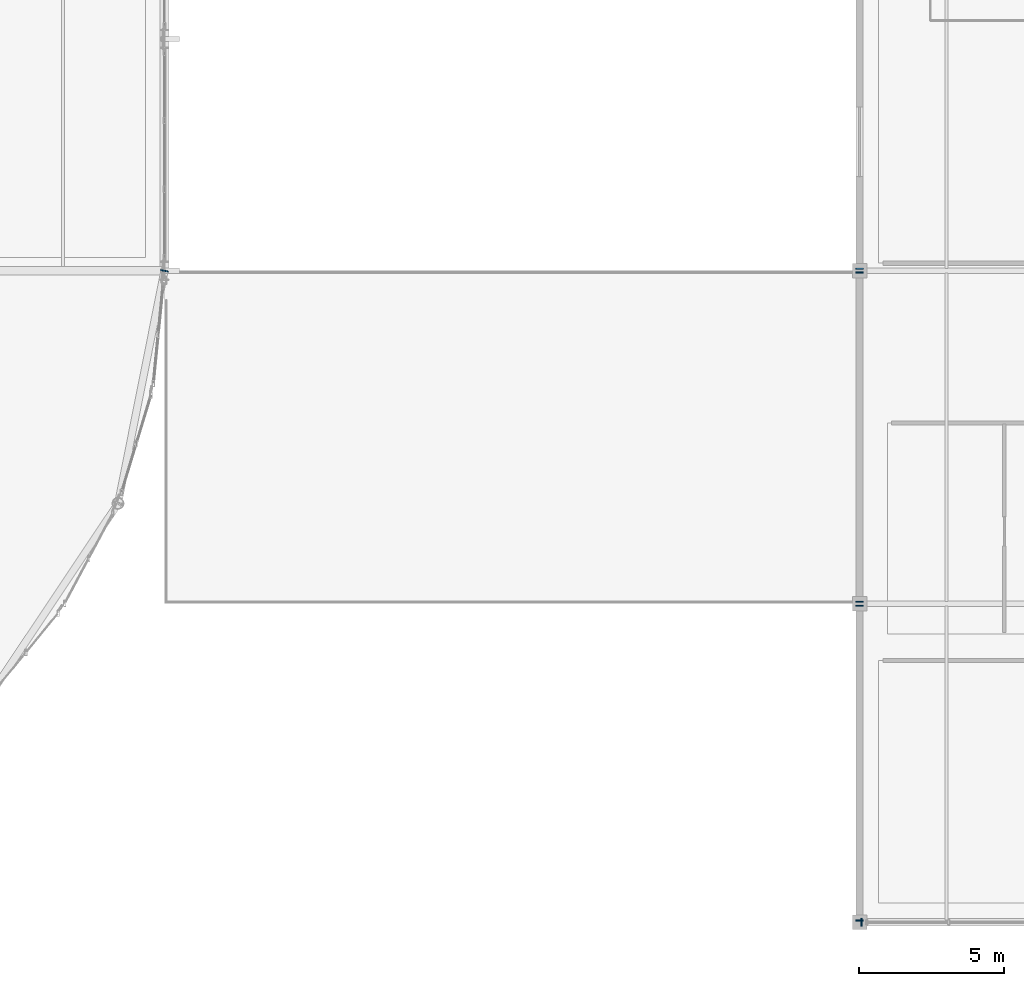
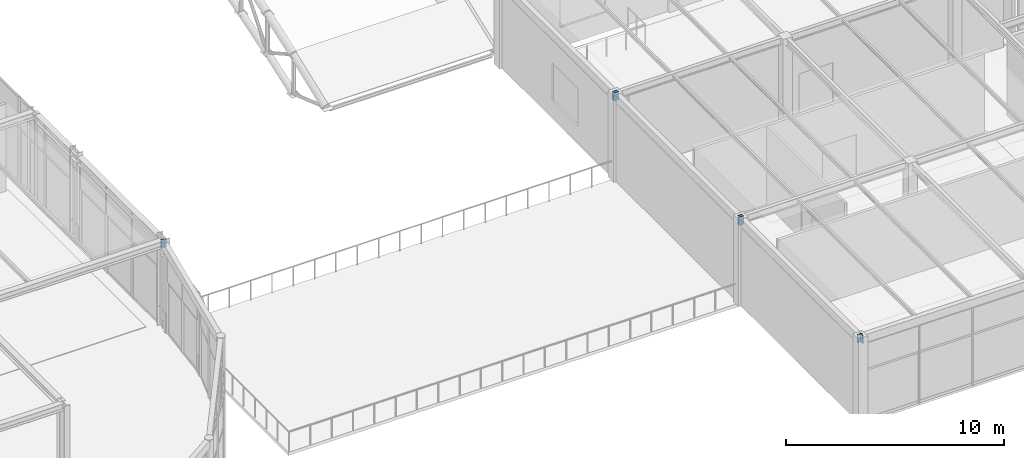
# One storey, part 143 of 195: 7 discrete accessories.
"""IFC4 building model written with IfcOpenShell, lengths in metres."""

from ifc_helpers import new_model, si_unit, direction, frame, origin, origin_2d, place, context, subcontext, project, spatial, rectangle, extrude, material, element, save


model = new_model("IFC4")

# Units and contexts
model_context = context("Model", 3, precision=1e-05, world=origin(), true_north=direction((0.0, 1.0)))
body_context = subcontext(model_context, "Body", "Model", "MODEL_VIEW")
ifc_project = project(units=[si_unit("LENGTHUNIT", "METRE"), si_unit("AREAUNIT", "SQUARE_METRE"), si_unit("VOLUMEUNIT", "CUBIC_METRE"), si_unit("PLANEANGLEUNIT", "RADIAN"), si_unit("MASSUNIT", "GRAM", prefix="KILO")], contexts=[model_context])

# Site, building, storey
site_placement = place(None, origin())
site = spatial("IfcSite", under=ifc_project, at=site_placement, CompositionType="ELEMENT")
building_placement = place(site_placement, origin())
building = spatial("IfcBuilding", under=site, at=building_placement, Name="Marlcrest Central Station", CompositionType="ELEMENT")
storey_placement = place(building_placement, frame((0.0, 0.0, 9.800048828125)))
storey = spatial("IfcBuildingStorey", under=building, at=storey_placement, Name="L02", CompositionType="ELEMENT", Elevation=9.800048828125)

# Discrete accessories
ifc_material = material(Name="Steel S355", Category="steel")
for number, where, z_axis, x_axis, name in (
    (1, (153.045166015625, 0.0, 4.64501953125), (1.0, 0.0, 0.0), (0.0, 1.0, 0.0), "endcap-bm-SP-02-L02-00955-s"),
    (2, (153.0, 0.045166015625, 4.64501953125), (0.0, 1.0, 0.0), (-1.0, 0.0, 0.0), "endcap-bm-SP-02-L02-00979-s"),
    (3, (153.0, 10.9150390625, 4.64501953125), (0.0, 1.0, 0.0), (-1.0, 0.0, 0.0), "endcap-bm-SP-02-L02-00979-e"),
    (4, (153.0, 11.045166015625, 4.64501953125), (0.0, 1.0, 0.0), (-1.0, 0.0, 0.0), "endcap-bm-SP-02-L02-00980-s"),
    (5, (153.0, 22.4150390625, 4.64501953125), (0.0, 1.0, 0.0), (-1.0, 0.0, 0.0), "endcap-bm-SP-02-L02-00980-e"),
    (6, (153.0, 22.545166015625, 4.64501953125), (0.0, 1.0, 0.0), (-1.0, 0.0, 0.0), "endcap-bm-SP-02-L02-00981-s"),
    (7, (128.9951171875, 22.4755859375, 4.77001953125), (0.19517056122, 0.980769316421, 0.0), (-0.980769316421, 0.19517056122, 0.0), "endcap-bm-SP-02-L02-01377-e"),
):
    element("IfcDiscreteAccessory", number, at=place(storey_placement, frame(where, z_axis=z_axis, x_axis=x_axis)), inside=storey, material=ifc_material, Name=name, ObjectType="END_CAP_PLATE", PredefinedType="BRACKET", context=body_context, shape_type="SweptSolid", body=[
        extrude(rectangle(XDim=0.26611328125, YDim=0.466064453125, at=origin_2d()), origin(), (0.0, 0.0, 1.0), 0.0400390625),
    ])

save(model, "model.ifc")
